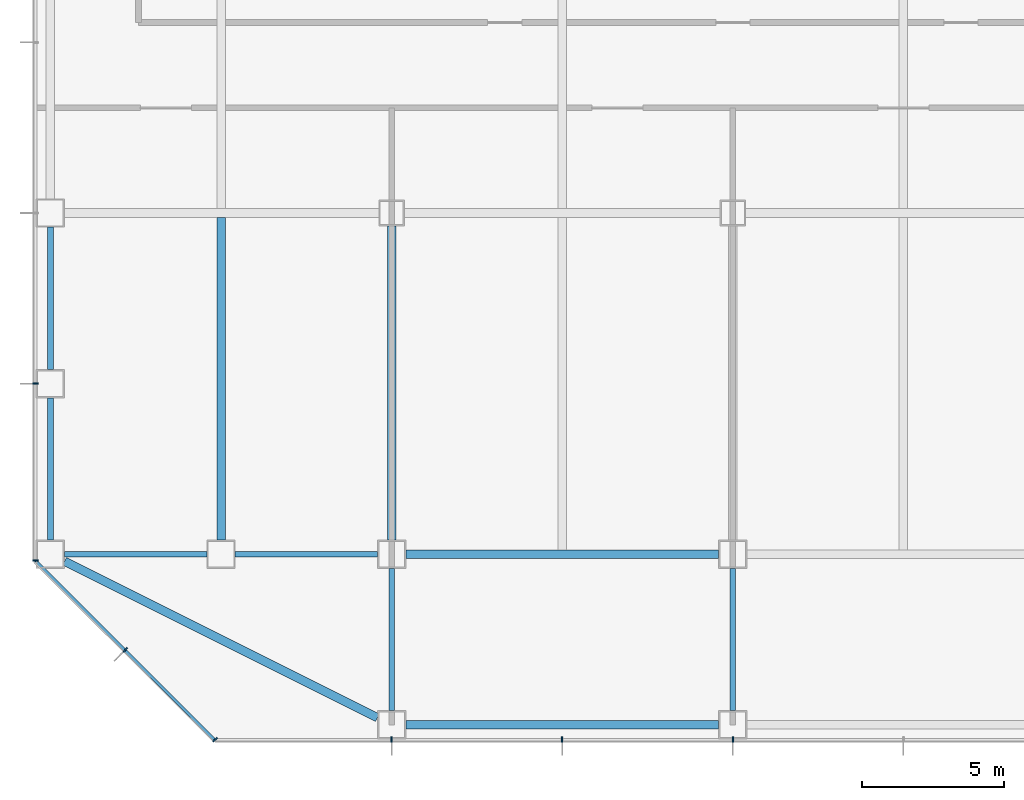
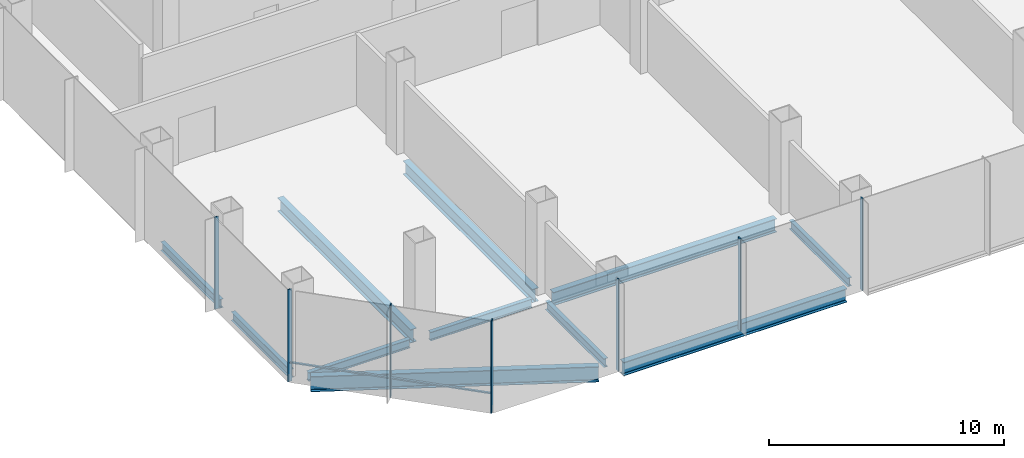
# One storey, part 2 of 33: 11 beams, 8 members, 3 elements without a shape of their own.
"""IFC4 building model written with IfcOpenShell, lengths in metres."""

from ifc_helpers import new_model, si_unit, direction, frame, origin, origin_2d, place, context, subcontext, project, spatial, rectangle, i_section, extrude, material, material_profile, profile_set, type_object, element, aggregate, save


model = new_model("IFC4")

# Units and contexts
model_context = context("Model", 3, precision=1e-05, world=origin(), true_north=direction((0.0, 1.0)))
body_context = subcontext(model_context, "Body", "Model", "MODEL_VIEW")
ifc_project = project(units=[si_unit("LENGTHUNIT", "METRE"), si_unit("AREAUNIT", "SQUARE_METRE"), si_unit("VOLUMEUNIT", "CUBIC_METRE"), si_unit("PLANEANGLEUNIT", "RADIAN"), si_unit("MASSUNIT", "GRAM", prefix="KILO")], contexts=[model_context])

# Site, building, storey
site_placement = place(None, origin())
site = spatial("IfcSite", under=ifc_project, at=site_placement, CompositionType="ELEMENT")
building_placement = place(site_placement, origin())
building = spatial("IfcBuilding", under=site, at=building_placement, Name="Sorahane Residences", CompositionType="ELEMENT")
storey_placement = place(building_placement, frame((0.0, 0.0, 30.0)))
storey = spatial("IfcBuildingStorey", under=building, at=storey_placement, Name="L04", CompositionType="ELEMENT", Elevation=30.0)

# Curtain wall, members
ifc_material_1 = material(Name="Dark low-e glass and black anodised aluminium", Category="aluminium")
curtain_wall_type = type_object("IfcCurtainWallType", Name="Curtain wall CW-3 Podium unitised wall", PredefinedType="NOTDEFINED", material=ifc_material_1)
curtain_wall_1_placement = place(storey_placement, origin())
curtain_wall_1 = element("IfcCurtainWall", 1, at=curtain_wall_1_placement, inside=storey, type_object=curtain_wall_type, Name="CW-3 curtain wall L04 S1", PredefinedType="NOTDEFINED")
ifc_material_2 = material(Name="Black anodised aluminium", Category="aluminium")
ifc_material_profile_1 = material_profile(ifc_material_2, rectangle(XDim=0.199951171875, YDim=0.050048828125, at=origin_2d()), Name="Curtain wall mullion CW-3 black anodised aluminium 50x200")
ifc_profile_set_1 = profile_set([ifc_material_profile_1], Name="Black anodised aluminium")
member_type_1 = type_object("IfcMemberType", Name="Curtain wall mullion CW-3 black anodised aluminium 50x200", PredefinedType="MULLION", material=ifc_profile_set_1)
member_1_placement = place(storey_placement, frame((12.0, -6.52001953125, -0.39990234375), z_axis=(0.0, 0.0, 1.0), x_axis=(0.0, -1.0, 0.0)))
member_1 = element("IfcMember", 2, at=member_1_placement, type_object=member_type_1, Name="CW-3 mullion L04 S1.2", PredefinedType="MULLION", context=body_context, shape_type="SweptSolid", body=[
    extrude(rectangle(XDim=0.199951171875, YDim=0.050048828125, at=origin_2d()), origin(), (0.0, 0.0, 1.0), 4.7998046875),
])
member_2_placement = place(storey_placement, frame((18.0, -6.52001953125, -0.39990234375), z_axis=(0.0, 0.0, 1.0), x_axis=(0.0, -1.0, 0.0)))
member_2 = element("IfcMember", 3, at=member_2_placement, type_object=member_type_1, Name="CW-3 mullion L04 S1.3", PredefinedType="MULLION", context=body_context, shape_type="SweptSolid", body=[
    extrude(rectangle(XDim=0.199951171875, YDim=0.050048828125, at=origin_2d()), origin(), (0.0, 0.0, 1.0), 4.7998046875),
])
member_3_placement = place(storey_placement, frame((24.0, -6.52001953125, -0.39990234375), z_axis=(0.0, 0.0, 1.0), x_axis=(0.0, -1.0, 0.0)))
member_3 = element("IfcMember", 4, at=member_3_placement, type_object=member_type_1, Name="CW-3 mullion L04 S1.4", PredefinedType="MULLION", context=body_context, shape_type="SweptSolid", body=[
    extrude(rectangle(XDim=0.199951171875, YDim=0.050048828125, at=origin_2d()), origin(), (0.0, 0.0, 1.0), 4.7998046875),
])
aggregate(curtain_wall_1, [member_1, member_2, member_3])

curtain_wall_2_placement = place(storey_placement, origin())
curtain_wall_2 = element("IfcCurtainWall", 5, at=curtain_wall_2_placement, inside=storey, type_object=curtain_wall_type, Name="CW-3 curtain wall L04 W1", PredefinedType="NOTDEFINED")
member_4_placement = place(storey_placement, frame((-0.52001953125, 6.0, -0.39990234375), z_axis=(0.0, 0.0, 1.0), x_axis=(-1.0, 0.0, 0.0)))
member_4 = element("IfcMember", 6, at=member_4_placement, type_object=member_type_1, Name="CW-3 mullion L04 W1.8", PredefinedType="MULLION", context=body_context, shape_type="SweptSolid", body=[
    extrude(rectangle(XDim=0.199951171875, YDim=0.050048828125, at=origin_2d()), origin(), (0.0, 0.0, 1.0), 4.7998046875),
])
member_5_placement = place(storey_placement, frame((-0.52001953125, -0.2236328125, -0.39990234375), z_axis=(0.0, 0.0, 1.0), x_axis=(-1.0, 0.0, 0.0)))
member_5 = element("IfcMember", 7, at=member_5_placement, type_object=member_type_1, Name="CW-3 mullion L04 W1.9", PredefinedType="MULLION", context=body_context, shape_type="SweptSolid", body=[
    extrude(rectangle(XDim=0.199951171875, YDim=0.050048828125, at=origin_2d()), origin(), (0.0, 0.0, 1.0), 4.7998046875),
])
aggregate(curtain_wall_2, [member_4, member_5])

curtain_wall_3_placement = place(storey_placement, origin())
curtain_wall_3 = element("IfcCurtainWall", 8, at=curtain_wall_3_placement, inside=storey, type_object=curtain_wall_type, Name="CW-3 curtain wall L04 SW1", PredefinedType="NOTDEFINED")
member_6_placement = place(storey_placement, frame((2.63232421875, -3.36767578125, -0.39990234375), z_axis=(0.0, 0.0, 1.0), x_axis=(-0.707106781187, -0.707106781187, 0.0)))
member_6 = element("IfcMember", 9, at=member_6_placement, type_object=member_type_1, Name="CW-3 mullion L04 SW1.2", PredefinedType="MULLION", context=body_context, shape_type="SweptSolid", body=[
    extrude(rectangle(XDim=0.199951171875, YDim=0.050048828125, at=origin_2d()), origin(), (0.0, 0.0, 1.0), 4.7998046875),
])
member_7_placement = place(storey_placement, frame((5.790283203125, -6.525634765625, -0.39990234375), z_axis=(0.0, 0.0, 1.0), x_axis=(-0.707106781187, -0.707106781187, 0.0)))
member_7 = element("IfcMember", 10, at=member_7_placement, type_object=member_type_1, Name="CW-3 mullion L04 SW1.3", PredefinedType="MULLION", context=body_context, shape_type="SweptSolid", body=[
    extrude(rectangle(XDim=0.199951171875, YDim=0.050048828125, at=origin_2d()), origin(), (0.0, 0.0, 1.0), 4.7998046875),
])
ifc_material_3 = material(Name="Black anodised aluminium", Category="aluminium")
ifc_material_profile_2 = material_profile(ifc_material_3, rectangle(XDim=0.10009765625, YDim=0.06005859375, at=origin_2d()), Name="Curtain wall transom CW-3 black anodised aluminium 60x100")
ifc_profile_set_2 = profile_set([ifc_material_profile_2], Name="Black anodised aluminium")
member_type_2 = type_object("IfcMemberType", Name="Curtain wall transom CW-3 black anodised aluminium 60x100", PredefinedType="USERDEFINED", material=ifc_profile_set_2)
member_8_placement = place(storey_placement, frame((-0.51513671875, -0.234375, 0.60009765625), z_axis=(0.707106781187, -0.707106781187, 0.0), x_axis=(0.707106781187, 0.707106781187, 0.0)))
member_8 = element("IfcMember", 11, at=member_8_placement, type_object=member_type_2, Name="CW-3 transom L04 SW1", ObjectType="TRANSOM", PredefinedType="USERDEFINED", context=body_context, shape_type="SweptSolid", body=[
    extrude(rectangle(XDim=0.10009765625, YDim=0.06005859375, at=origin_2d()), origin(), (0.0, 0.0, 1.0), 8.88232421875),
])
aggregate(curtain_wall_3, [member_6, member_7, member_8])

# Beams
ifc_material_4 = material(Name="Steel Q355B", Category="steel")
ifc_material_profile_3 = material_profile(ifc_material_4, i_section(OverallWidth=0.199951171875, OverallDepth=0.449951171875, WebThickness=0.009033203125, FlangeThickness=0.013916015625, FilletRadius=0.02001953125, at=origin_2d()), Name="HN 450x200x9x14")
ifc_profile_set_3 = profile_set([ifc_material_profile_3], Name="Steel Q355B")
beam_type_1 = type_object("IfcBeamType", Name="Steel floor beam HN 450x200x9x14 Q355B", PredefinedType="BEAM", material=ifc_profile_set_3)
for number, where, z_axis, x_axis, name in (
    (12, (0.5, 0.0, -0.625), (1.0, 0.0, 0.0), (0.0, 1.0, 0.0), "Beam L04 000"),
    (13, (6.5, 0.0, -0.625), (1.0, 0.0, 0.0), (0.0, 1.0, 0.0), "Beam L04 001"),
    (14, (0.0, 0.5, -0.625), (0.0, 1.0, 0.0), (-1.0, 0.0, 0.0), "Beam L04 024"),
    (15, (0.0, 6.5, -0.625), (0.0, 1.0, 0.0), (-1.0, 0.0, 0.0), "Beam L04 025"),
    (16, (12.0, -5.5, -0.625), (0.0, 1.0, 0.0), (-1.0, 0.0, 0.0), "Beam L04 035"),
    (17, (24.0, -5.5, -0.625), (0.0, 1.0, 0.0), (-1.0, 0.0, 0.0), "Beam L04 044"),
):
    element("IfcBeam", number, at=place(storey_placement, frame(where, z_axis=z_axis, x_axis=x_axis)), inside=storey, type_object=beam_type_1, Name=name, PredefinedType="BEAM", context=body_context, shape_type="SweptSolid", body=[
        extrude(i_section(OverallWidth=0.199951171875, OverallDepth=0.449951171875, WebThickness=0.009033203125, FlangeThickness=0.013916015625, FilletRadius=0.02001953125, at=origin_2d()), origin(), (0.0, 0.0, 1.0), 5.0),
    ])
ifc_material_5 = material(Name="Steel Q355B", Category="steel")
ifc_material_profile_4 = material_profile(ifc_material_5, i_section(OverallWidth=0.300048828125, OverallDepth=0.699951171875, WebThickness=0.012939453125, FlangeThickness=0.02392578125, FilletRadius=0.028076171875, at=origin_2d()), Name="HN 700x300x13x24")
ifc_profile_set_4 = profile_set([ifc_material_profile_4], Name="Steel Q355B")
beam_type_2 = type_object("IfcBeamType", Name="Steel floor beam HN 700x300x13x24 Q355B", PredefinedType="BEAM", material=ifc_profile_set_4)
beam_1_placement = place(storey_placement, frame((12.5, 0.0, -0.75), z_axis=(1.0, 0.0, 0.0), x_axis=(0.0, 1.0, 0.0)))
element("IfcBeam", 18, at=beam_1_placement, inside=storey, type_object=beam_type_2, Name="Beam L04 002", PredefinedType="BEAM", context=body_context, shape_type="SweptSolid", body=[
    extrude(i_section(OverallWidth=0.300048828125, OverallDepth=0.699951171875, WebThickness=0.012939453125, FlangeThickness=0.02392578125, FilletRadius=0.028076171875, at=origin_2d()), origin(), (0.0, 0.0, 1.0), 11.0),
])
beam_2_placement = place(storey_placement, frame((6.0, 0.5, -0.75), z_axis=(0.0, 1.0, 0.0), x_axis=(-1.0, 0.0, 0.0)))
element("IfcBeam", 19, at=beam_2_placement, inside=storey, type_object=beam_type_2, Name="Beam L04 029", PredefinedType="BEAM", context=body_context, shape_type="SweptSolid", body=[
    extrude(i_section(OverallWidth=0.300048828125, OverallDepth=0.699951171875, WebThickness=0.012939453125, FlangeThickness=0.02392578125, FilletRadius=0.028076171875, at=origin_2d()), origin(), (0.0, 0.0, 1.0), 11.35009765625),
])
beam_3_placement = place(storey_placement, frame((12.0, 0.5, -0.75), z_axis=(0.0, 1.0, 0.0), x_axis=(-1.0, 0.0, 0.0)))
element("IfcBeam", 20, at=beam_3_placement, inside=storey, type_object=beam_type_2, Name="Beam L04 036", PredefinedType="BEAM", context=body_context, shape_type="SweptSolid", body=[
    extrude(i_section(OverallWidth=0.300048828125, OverallDepth=0.699951171875, WebThickness=0.012939453125, FlangeThickness=0.02392578125, FilletRadius=0.028076171875, at=origin_2d()), origin(), (0.0, 0.0, 1.0), 11.050048828125),
])
beam_4_placement = place(storey_placement, frame((12.5, -6.0, -0.75), z_axis=(1.0, 0.0, 0.0), x_axis=(0.0, 1.0, 0.0)))
element("IfcBeam", 21, at=beam_4_placement, inside=storey, type_object=beam_type_2, Name="Beam L04 079", PredefinedType="BEAM", context=body_context, shape_type="SweptSolid", body=[
    extrude(i_section(OverallWidth=0.300048828125, OverallDepth=0.699951171875, WebThickness=0.012939453125, FlangeThickness=0.02392578125, FilletRadius=0.028076171875, at=origin_2d()), origin(), (0.0, 0.0, 1.0), 11.0),
])
ifc_material_6 = material(Name="Steel Q355B", Category="steel")
ifc_material_profile_5 = material_profile(ifc_material_6, i_section(OverallWidth=0.300048828125, OverallDepth=0.800048828125, WebThickness=0.013916015625, FlangeThickness=0.02587890625, FilletRadius=0.028076171875, at=origin_2d()), Name="HN 800x300x14x26")
ifc_profile_set_5 = profile_set([ifc_material_profile_5], Name="Steel Q355B")
beam_type_3 = type_object("IfcBeamType", Name="Steel floor beam HN 800x300x14x26 Q355B", PredefinedType="BEAM", material=ifc_profile_set_5)
beam_5_placement = place(storey_placement, frame((0.5, -0.25, -0.800048828125), z_axis=(0.894427191, -0.4472135955, 0.0), x_axis=(0.4472135955, 0.894427191, 0.0)))
element("IfcBeam", 22, at=beam_5_placement, inside=storey, type_object=beam_type_3, Name="Beam L04 082", PredefinedType="BEAM", context=body_context, shape_type="SweptSolid", body=[
    extrude(i_section(OverallWidth=0.300048828125, OverallDepth=0.800048828125, WebThickness=0.013916015625, FlangeThickness=0.02587890625, FilletRadius=0.028076171875, at=origin_2d()), origin(), (0.0, 0.0, 1.0), 12.29833984375),
])

save(model, "model.ifc")
